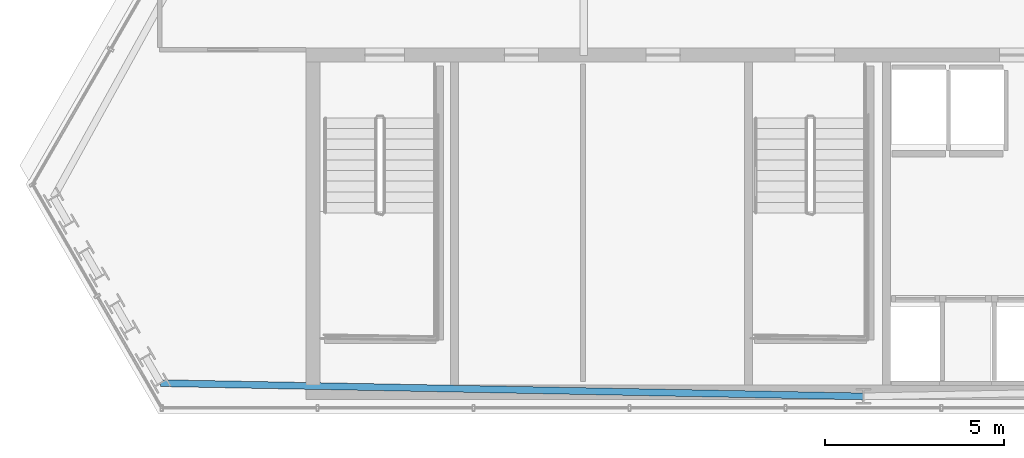
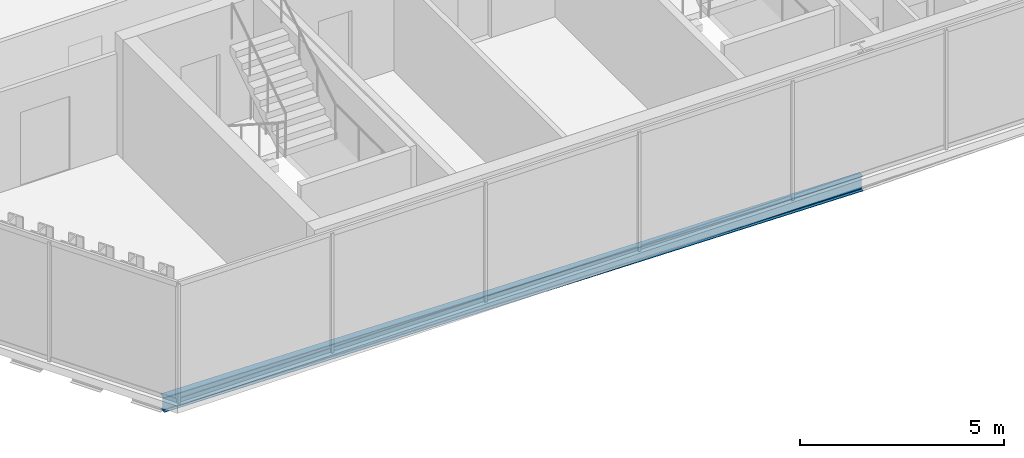
# One storey, part 3 of 29: 1 beam.
"""IFC4 building model written with IfcOpenShell, lengths in metres."""

from ifc_helpers import new_model, si_unit, direction, frame, origin, origin_2d, place, context, subcontext, project, spatial, i_section, extrude, material, material_profile, profile_set, type_object, element, save


model = new_model("IFC4")

# Units and contexts
model_context = context("Model", 3, precision=1e-05, world=origin(), true_north=direction((0.0, 1.0)))
body_context = subcontext(model_context, "Body", "Model", "MODEL_VIEW")
ifc_project = project(units=[si_unit("LENGTHUNIT", "METRE"), si_unit("AREAUNIT", "SQUARE_METRE"), si_unit("VOLUMEUNIT", "CUBIC_METRE"), si_unit("PLANEANGLEUNIT", "RADIAN"), si_unit("MASSUNIT", "GRAM", prefix="KILO")], contexts=[model_context])

# Site, building, storey
site_placement = place(None, origin())
site = spatial("IfcSite", under=ifc_project, at=site_placement, CompositionType="ELEMENT")
building_placement = place(site_placement, origin())
building = spatial("IfcBuilding", under=site, at=building_placement, Name="Ndaravel Arena Tower", CompositionType="ELEMENT")
storey_placement = place(building_placement, frame((0.0, 0.0, 229.39990234375)))
storey = spatial("IfcBuildingStorey", under=building, at=storey_placement, Name="L55", CompositionType="ELEMENT", Elevation=229.39990234375)

# Beam
ifc_material = material(Name="Steel S355", Category="steel")
ifc_material_profile = material_profile(ifc_material, i_section(OverallWidth=0.18994140625, OverallDepth=0.449951171875, WebThickness=0.009521484375, FlangeThickness=0.0146484375, FilletRadius=0.02099609375, at=origin_2d()), Name="IPE 450")
ifc_profile_set = profile_set([ifc_material_profile], Name="Steel S355")
beam_type = type_object("IfcBeamType", Name="BM-SPAN-IPE450", PredefinedType="SPANDREL", material=ifc_profile_set)
beam_placement = place(storey_placement, frame((22.402587890625, 5.849609375, -0.44482421875), z_axis=(0.999822176745, -0.018857754053, 0.0), x_axis=(0.018857754053, 0.999822176745, 0.0)))
element("IfcBeam", 1, at=beam_placement, inside=storey, type_object=beam_type, Name="L55 Perimeter Spandrel Beam SP-27", PredefinedType="SPANDREL", context=body_context, shape_type="SweptSolid", body=[
    extrude(i_section(OverallWidth=0.18994140625, OverallDepth=0.449951171875, WebThickness=0.009521484375, FlangeThickness=0.0146484375, FilletRadius=0.02099609375, at=origin_2d()), origin(), (0.0, 0.0, 1.0), 19.600830078125),
])

save(model, "model.ifc")
